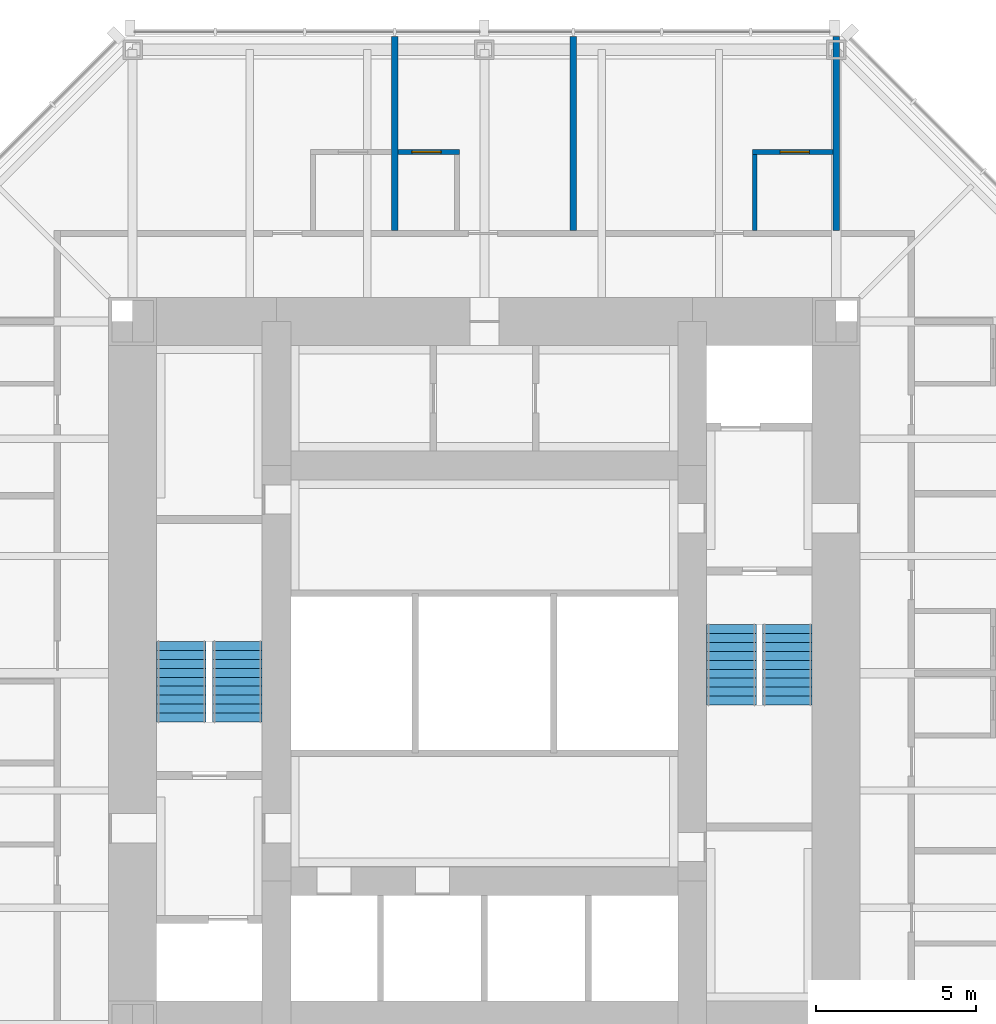
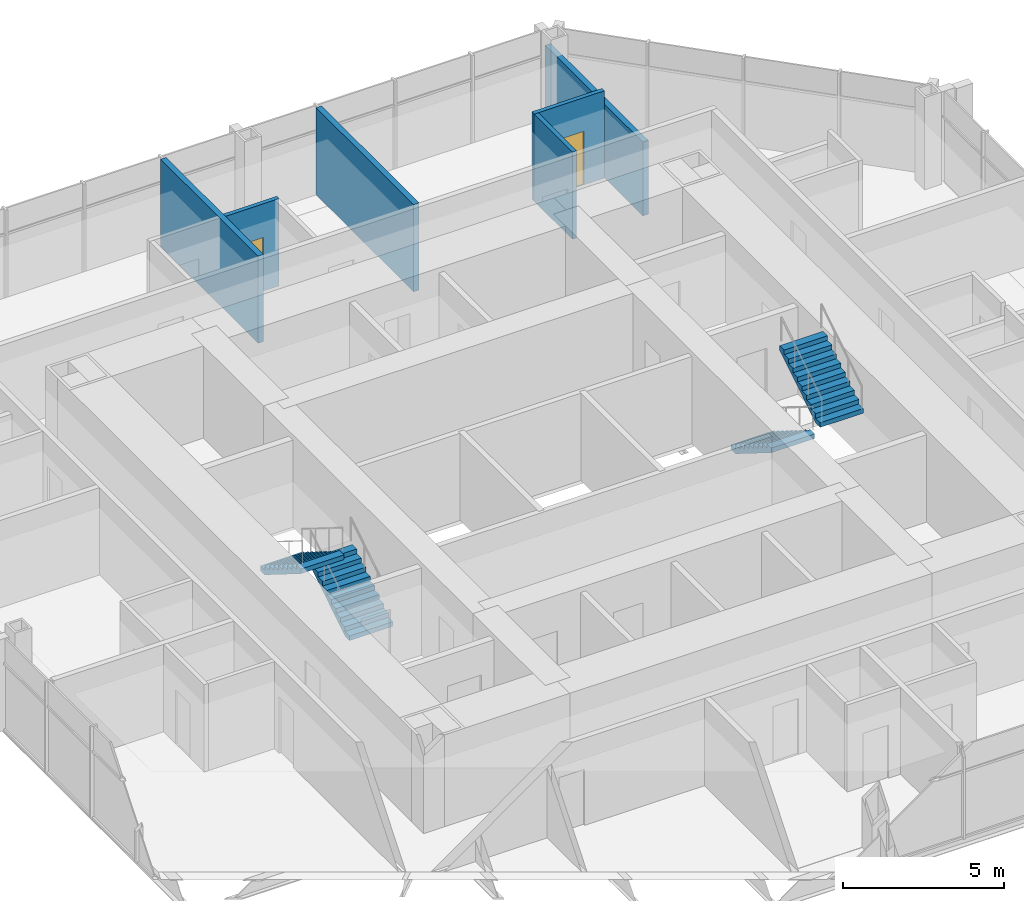
# One storey, part 10 of 11: 6 walls, 4 stair flights, 2 doors, 2 openings, 2 elements without a shape of their own.
"""IFC4 building model written with IfcOpenShell, lengths in metres."""

from ifc_helpers import new_model, si_unit, direction, frame, frame_2d, origin, place, context, subcontext, project, spatial, polyline, rectangle, outline, extrude, material, layer, layer_set, type_object, element, fill, aggregate, save


model = new_model("IFC4")

# Units and contexts
model_context = context("Model", 3, precision=1e-05, world=origin(), true_north=direction((0.0, 1.0)))
body_context = subcontext(model_context, "Body", "Model", "MODEL_VIEW")
ifc_project = project(units=[si_unit("LENGTHUNIT", "METRE"), si_unit("AREAUNIT", "SQUARE_METRE"), si_unit("VOLUMEUNIT", "CUBIC_METRE"), si_unit("PLANEANGLEUNIT", "RADIAN"), si_unit("MASSUNIT", "GRAM", prefix="KILO")], contexts=[model_context])

# Site, building, storey
site_placement = place(None, origin())
site = spatial("IfcSite", under=ifc_project, at=site_placement, CompositionType="ELEMENT")
building_placement = place(site_placement, origin())
building = spatial("IfcBuilding", under=site, at=building_placement, Name="Trevanion Tower", CompositionType="ELEMENT")
storey_placement = place(building_placement, frame((0.0, 0.0, 218.699951171875)))
storey = spatial("IfcBuildingStorey", under=building, at=storey_placement, Name="L52", CompositionType="ELEMENT", Elevation=218.699951171875)

# Wall, opening, door
ifc_material_1 = material(Name="Gypsum board on steel studs", Category="steel")
ifc_layer_1 = layer(ifc_material_1, 0.14990234375)
ifc_layer_set_1 = layer_set([ifc_layer_1], Name="PT1 partition 150")
wall_type_1 = type_object("IfcWallType", Name="PT1 partition 150", PredefinedType="PARTITIONING", material=ifc_layer_set_1)
wall_1_placement = place(storey_placement, frame((10.89990234375, 16.300048828125, 0.0), z_axis=(0.0, 0.0, 1.0), x_axis=(-1.0, 0.0, 0.0)))
wall_1 = element("IfcWall", 1, at=wall_1_placement, inside=storey, type_object=wall_type_1, Name="PT1 L52 BA10", PredefinedType="PARTITIONING", context=body_context, shape_type="SweptSolid", body=[
    extrude(rectangle(XDim=2.52490234375, YDim=0.14990234375, at=frame_2d((1.262451171875, 0.0))), origin(), (0.0, 0.0, 1.0), 3.31005859375),
])
opening_1_placement = place(wall_1_placement, frame((0.742431640625, 0.0, 0.0)))
opening_1 = element("IfcOpeningElement", 2, at=opening_1_placement, cuts=wall_1, Name="Opening 52-024", PredefinedType="OPENING", context=body_context, shape_type="SweptSolid", body=[
    extrude(rectangle(XDim=0.9150390625, YDim=2.031982421875, at=frame_2d((0.45751953125, 1.01611328125))), frame((0.0, 0.0849609375, 0.0), z_axis=(0.0, -1.0, 0.0), x_axis=(1.0, 0.0, 0.0)), (0.0, 0.0, 1.0), 0.169921875),
])
ifc_material_2 = material(Name="Timber veneer", Category="wood")
door_type = type_object("IfcDoorType", Name="D7 bathroom door", OperationType="SINGLE_SWING_LEFT", PredefinedType="DOOR", material=ifc_material_2)
door_1_placement = place(opening_1_placement, origin())
door_1 = element("IfcDoor", 3, at=door_1_placement, inside=storey, type_object=door_type, Name="Door 52-024", OperationType="SINGLE_SWING_LEFT", OverallHeight=2.031982421875, OverallWidth=0.9150390625, PredefinedType="DOOR", context=body_context, shape_type="SweptSolid", body=[
    extrude(rectangle(XDim=0.9150390625, YDim=2.031982421875, at=frame_2d((0.45751953125, 1.01611328125))), frame((0.0, 0.02490234375, 0.0), z_axis=(0.0, -1.0, 0.0), x_axis=(1.0, 0.0, 0.0)), (0.0, 0.0, 1.0), 0.050048828125),
])
fill(opening_1, door_1)

# Wall
wall_2_placement = place(storey_placement, frame((8.449951171875, 13.85009765625, 0.0), z_axis=(0.0, 0.0, 1.0), x_axis=(0.0, 1.0, 0.0)))
element("IfcWall", 4, at=wall_2_placement, inside=storey, type_object=wall_type_1, Name="PT1 L52 BB10", PredefinedType="PARTITIONING", context=body_context, shape_type="SweptSolid", body=[
    extrude(rectangle(XDim=2.375, YDim=0.14990234375, at=frame_2d((1.1875, 0.0))), origin(), (0.0, 0.0, 1.0), 3.31005859375),
])

# Wall, opening, door
wall_3_placement = place(storey_placement, frame((-0.781982421875, 16.300048828125, 0.0), z_axis=(0.0, 0.0, 1.0), x_axis=(-1.0, 0.0, 0.0)))
wall_3 = element("IfcWall", 5, at=wall_3_placement, inside=storey, type_object=wall_type_1, Name="PT1 L52 BA11", PredefinedType="PARTITIONING", context=body_context, shape_type="SweptSolid", body=[
    extrude(rectangle(XDim=1.925048828125, YDim=0.14990234375, at=frame_2d((0.96240234375, 0.0))), origin(), (0.0, 0.0, 1.0), 3.31005859375),
])
opening_2_placement = place(wall_3_placement, frame((0.5673828125, 0.0, 0.0)))
opening_2 = element("IfcOpeningElement", 6, at=opening_2_placement, cuts=wall_3, Name="Opening 52-026", PredefinedType="OPENING", context=body_context, shape_type="SweptSolid", body=[
    extrude(rectangle(XDim=0.9150390625, YDim=2.031982421875, at=frame_2d((0.45751953125, 1.01611328125))), frame((0.0, 0.0849609375, 0.0), z_axis=(0.0, -1.0, 0.0), x_axis=(1.0, 0.0, 0.0)), (0.0, 0.0, 1.0), 0.169921875),
])
door_2_placement = place(opening_2_placement, origin())
door_2 = element("IfcDoor", 7, at=door_2_placement, inside=storey, type_object=door_type, Name="Door 52-026", OperationType="SINGLE_SWING_LEFT", OverallHeight=2.031982421875, OverallWidth=0.9150390625, PredefinedType="DOOR", context=body_context, shape_type="SweptSolid", body=[
    extrude(rectangle(XDim=0.9150390625, YDim=2.031982421875, at=frame_2d((0.45751953125, 1.01611328125))), frame((0.0, 0.02490234375, 0.0), z_axis=(0.0, -1.0, 0.0), x_axis=(1.0, 0.0, 0.0)), (0.0, 0.0, 1.0), 0.050048828125),
])
fill(opening_2, door_2)

# Walls
ifc_material_3 = material(Name="Concrete masonry, grouted", Category="masonry")
ifc_layer_2 = layer(ifc_material_3, 0.199951171875)
ifc_layer_set_2 = layer_set([ifc_layer_2], Name="PT2 partition 200 1 HR")
wall_type_2 = type_object("IfcWallType", Name="PT2 partition 200 1 HR", PredefinedType="PARTITIONING", material=ifc_layer_set_2)
wall_4_placement = place(storey_placement, frame((11.0, 13.85009765625, 0.0), z_axis=(0.0, 0.0, 1.0), x_axis=(0.0, 1.0, 0.0)))
element("IfcWall", 8, at=wall_4_placement, inside=storey, type_object=wall_type_2, Name="PT2 L52 HD10", PredefinedType="PARTITIONING", context=body_context, shape_type="SweptSolid", body=[
    extrude(rectangle(XDim=6.06494140625, YDim=0.199951171875, at=frame_2d((3.032470703125, 0.0))), origin(), (0.0, 0.0, 1.0), 2.802001953125),
])
for number, where, z_axis, x_axis, name in (
    (9, (2.77490234375, 13.85009765625, 0.0), (0.0, 0.0, 1.0), (0.0, 1.0, 0.0), "PT2 L52 HD11"),
    (10, (-2.806884765625, 13.85009765625, 0.0), (0.0, 0.0, 1.0), (0.0, 1.0, 0.0), "PT2 L52 HD12"),
):
    element("IfcWall", number, at=place(storey_placement, frame(where, z_axis=z_axis, x_axis=x_axis)), inside=storey, type_object=wall_type_2, Name=name, PredefinedType="PARTITIONING", context=body_context, shape_type="SweptSolid", body=[
        extrude(rectangle(XDim=6.06494140625, YDim=0.199951171875, at=frame_2d((3.032470703125, 0.0))), origin(), (0.0, 0.0, 1.0), 3.31005859375),
    ])

# Stair, stair flights
ifc_material_4 = material(Name="Concrete 5,000 psi on steel stringers", Category="concrete")
stair_type = type_object("IfcStairType", Name="ST stair", PredefinedType="HALF_TURN_STAIR", material=ifc_material_4)
stair_1_placement = place(storey_placement, origin())
stair_1 = element("IfcStair", 11, at=stair_1_placement, inside=storey, type_object=stair_type, Name="ST1 L52", PredefinedType="HALF_TURN_STAIR")
ifc_material_5 = material(Name="Concrete 5,000 psi in steel pan", Category="concrete")
stair_flight_type = type_object("IfcStairFlightType", Name="STF stair flight", PredefinedType="STRAIGHT", material=ifc_material_5)
stair_flight_1_placement = place(storey_placement, frame((7.72509765625, 1.52490234375, 0.0), z_axis=(0.0, 0.0, 1.0), x_axis=(0.0, -1.0, 0.0)))
stair_flight_1 = element("IfcStairFlight", 12, at=stair_flight_1_placement, type_object=stair_flight_type, Name="ST1 flight 1", NumberOfRisers=10, NumberOfTreads=9, PredefinedType="STRAIGHT", RiserHeight=0.175, TreadLength=0.28, context=body_context, shape_type="SweptSolid", body=[
    extrude(outline(polyline([(0.0, 0.0), (0.0, 0.175048828125), (0.280029296875, 0.175048828125), (0.280029296875, 0.35009765625), (0.56005859375, 0.35009765625), (0.56005859375, 0.52490234375), (0.840087890625, 0.52490234375), (0.840087890625, 0.699951171875), (1.1201171875, 0.699951171875), (1.1201171875, 0.875), (1.39990234375, 0.875), (1.39990234375, 1.050048828125), (1.679931640625, 1.050048828125), (1.679931640625, 1.22509765625), (1.9599609375, 1.22509765625), (1.9599609375, 1.39990234375), (2.239990234375, 1.39990234375), (2.239990234375, 1.574951171875), (2.52001953125, 1.574951171875), (2.52001953125, 1.75), (2.52001953125, 1.398193359375), (0.28271484375, 0.0), (0.0, 0.0)])), frame((0.0, 0.77490234375, 0.0), z_axis=(0.0, -1.0, 0.0), x_axis=(1.0, 0.0, 0.0)), (0.0, 0.0, 1.0), 1.550048828125),
])
stair_flight_2_placement = place(storey_placement, frame((9.47509765625, -0.9951171875, 1.75), z_axis=(0.0, 0.0, 1.0), x_axis=(0.0, 1.0, 0.0)))
stair_flight_2 = element("IfcStairFlight", 13, at=stair_flight_2_placement, type_object=stair_flight_type, Name="ST1 flight 2", NumberOfRisers=10, NumberOfTreads=9, PredefinedType="STRAIGHT", RiserHeight=0.175, TreadLength=0.28, context=body_context, shape_type="SweptSolid", body=[
    extrude(outline(polyline([(0.0, 0.0), (0.0, 0.175048828125), (0.280029296875, 0.175048828125), (0.280029296875, 0.35009765625), (0.56005859375, 0.35009765625), (0.56005859375, 0.52490234375), (0.840087890625, 0.52490234375), (0.840087890625, 0.699951171875), (1.1201171875, 0.699951171875), (1.1201171875, 0.875), (1.39990234375, 0.875), (1.39990234375, 1.050048828125), (1.679931640625, 1.050048828125), (1.679931640625, 1.22509765625), (1.9599609375, 1.22509765625), (1.9599609375, 1.39990234375), (2.239990234375, 1.39990234375), (2.239990234375, 1.574951171875), (2.52001953125, 1.574951171875), (2.52001953125, 1.75), (2.52001953125, 1.398193359375), (0.28271484375, 0.0), (0.0, 0.0)])), frame((0.0, 0.77490234375, 0.0), z_axis=(0.0, -1.0, 0.0), x_axis=(1.0, 0.0, 0.0)), (0.0, 0.0, 1.0), 1.550048828125),
])
aggregate(stair_1, [stair_flight_1, stair_flight_2])

stair_2_placement = place(storey_placement, origin())
stair_2 = element("IfcStair", 14, at=stair_2_placement, inside=storey, type_object=stair_type, Name="ST2 L52", PredefinedType="HALF_TURN_STAIR")
stair_flight_3_placement = place(storey_placement, frame((-7.72509765625, -1.52490234375, 0.0), z_axis=(0.0, 0.0, 1.0), x_axis=(0.0, 1.0, 0.0)))
stair_flight_3 = element("IfcStairFlight", 15, at=stair_flight_3_placement, type_object=stair_flight_type, Name="ST2 flight 1", NumberOfRisers=10, NumberOfTreads=9, PredefinedType="STRAIGHT", RiserHeight=0.175, TreadLength=0.28, context=body_context, shape_type="SweptSolid", body=[
    extrude(outline(polyline([(0.0, 0.0), (0.0, 0.175048828125), (0.280029296875, 0.175048828125), (0.280029296875, 0.35009765625), (0.56005859375, 0.35009765625), (0.56005859375, 0.52490234375), (0.840087890625, 0.52490234375), (0.840087890625, 0.699951171875), (1.1201171875, 0.699951171875), (1.1201171875, 0.875), (1.39990234375, 0.875), (1.39990234375, 1.050048828125), (1.679931640625, 1.050048828125), (1.679931640625, 1.22509765625), (1.9599609375, 1.22509765625), (1.9599609375, 1.39990234375), (2.239990234375, 1.39990234375), (2.239990234375, 1.574951171875), (2.52001953125, 1.574951171875), (2.52001953125, 1.75), (2.52001953125, 1.398193359375), (0.28271484375, 0.0), (0.0, 0.0)])), frame((0.0, 0.77490234375, 0.0), z_axis=(0.0, -1.0, 0.0), x_axis=(1.0, 0.0, 0.0)), (0.0, 0.0, 1.0), 1.550048828125),
])
stair_flight_4_placement = place(storey_placement, frame((-9.47509765625, 0.9951171875, 1.75), z_axis=(0.0, 0.0, 1.0), x_axis=(0.0, -1.0, 0.0)))
stair_flight_4 = element("IfcStairFlight", 16, at=stair_flight_4_placement, type_object=stair_flight_type, Name="ST2 flight 2", NumberOfRisers=10, NumberOfTreads=9, PredefinedType="STRAIGHT", RiserHeight=0.175, TreadLength=0.28, context=body_context, shape_type="SweptSolid", body=[
    extrude(outline(polyline([(0.0, 0.0), (0.0, 0.175048828125), (0.280029296875, 0.175048828125), (0.280029296875, 0.35009765625), (0.56005859375, 0.35009765625), (0.56005859375, 0.52490234375), (0.840087890625, 0.52490234375), (0.840087890625, 0.699951171875), (1.1201171875, 0.699951171875), (1.1201171875, 0.875), (1.39990234375, 0.875), (1.39990234375, 1.050048828125), (1.679931640625, 1.050048828125), (1.679931640625, 1.22509765625), (1.9599609375, 1.22509765625), (1.9599609375, 1.39990234375), (2.239990234375, 1.39990234375), (2.239990234375, 1.574951171875), (2.52001953125, 1.574951171875), (2.52001953125, 1.75), (2.52001953125, 1.398193359375), (0.28271484375, 0.0), (0.0, 0.0)])), frame((0.0, 0.77490234375, 0.0), z_axis=(0.0, -1.0, 0.0), x_axis=(1.0, 0.0, 0.0)), (0.0, 0.0, 1.0), 1.550048828125),
])
aggregate(stair_2, [stair_flight_3, stair_flight_4])

save(model, "model.ifc")
